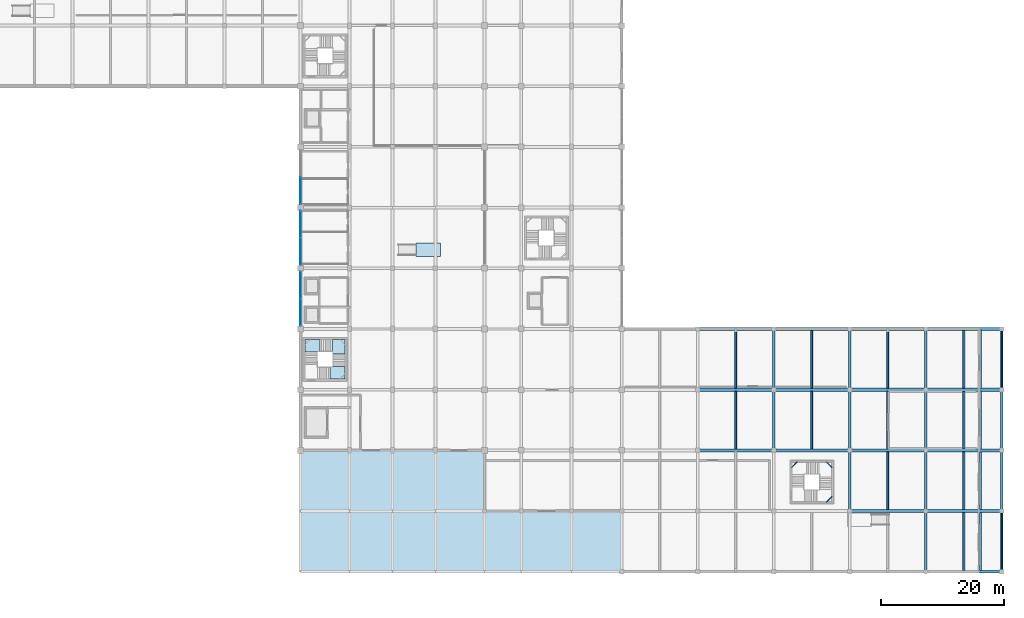
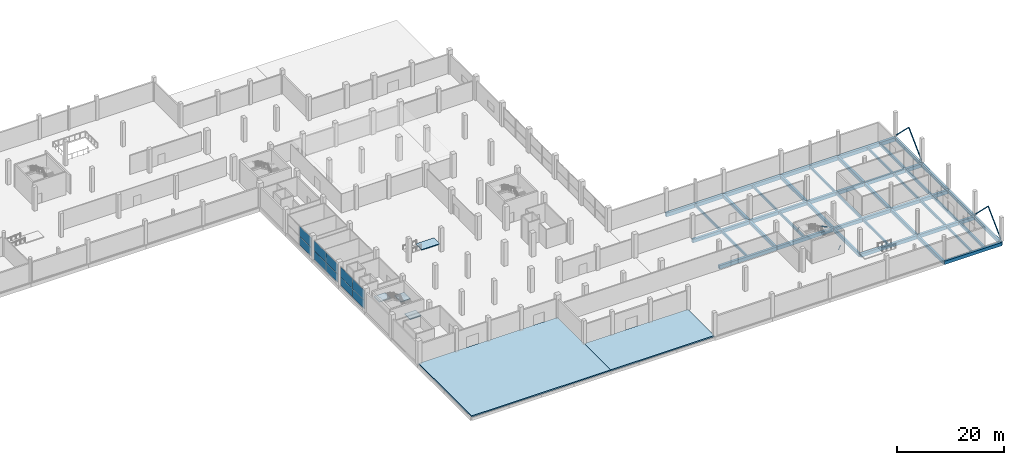
# One storey, part 18 of 50: 46 beams, 10 plates, 6 slabs, 4 members, 4 elements without a shape of their own.
"""IFC4 building model written with IfcOpenShell, lengths in metres."""

import ifcopenshell
import ifcopenshell.guid

model = None  # the IFC model being written
_history = None  # IfcOwnerHistory: only IFC2X3 demands one
_inside = {}  # id of a spatial element -> (the spatial element, [elements in it])
_under = {}  # id of a project, library or spatial element -> (it, [spatial elements below it])
_declared = {}  # id of a project -> (the project, [libraries it declares])
_typed = {}  # id of a type object -> (the type object, [elements of that type])
_made_of = {}  # id of a material, layer set ... -> (it, [elements and type objects made of it])


def new_model(schema):
    """Start an empty IFC model of exactly this schema.

    Asked for "IFC4X3", IfcOpenShell would pick the latest addendum, in which some entities
    have other attributes; the version numbers below select the first issue.
    IFC2X3 requires an IfcOwnerHistory on every rooted entity: one is made here for all.
    """
    global model, _history
    if schema == "IFC4X3":
        model = ifcopenshell.file(schema_version=(4, 3, 0, 0))
    else:
        model = ifcopenshell.file(schema=schema)
    _inside.clear()
    _under.clear()
    _declared.clear()
    _typed.clear()
    _made_of.clear()
    _history = None
    if model.schema == "IFC2X3":
        org = make("IfcOrganization", Name="unknown")
        user = make(
            "IfcPersonAndOrganization",
            ThePerson=make("IfcPerson", FamilyName="unknown"),
            TheOrganization=org,
        )
        app = make(
            "IfcApplication",
            ApplicationDeveloper=org,
            Version="unknown",
            ApplicationFullName="unknown",
            ApplicationIdentifier="unknown",
        )
        _history = make(
            "IfcOwnerHistory",
            OwningUser=user,
            OwningApplication=app,
            ChangeAction="ADDED",
            CreationDate=0,
        )
    return model


def make(cls, **values):
    """One entity of the class cls with the attributes given. An attribute that is None is left unset."""
    return model.create_entity(
        cls, **{name: value for name, value in values.items() if value is not None}
    )


def rooted(cls, **values):
    """An entity with a GlobalId (a new one), such as an element, a storey or a relation."""
    return make(cls, GlobalId=ifcopenshell.guid.new(), OwnerHistory=_history, **values)


def si_unit(unit_type, name, prefix=None):
    """IfcSIUnit, for example si_unit("LENGTHUNIT", "METRE", prefix="MILLI")."""
    return make("IfcSIUnit", UnitType=unit_type, Prefix=prefix, Name=name)


def assignment(units):
    """IfcUnitAssignment: the units of a project."""
    return None if units is None else make("IfcUnitAssignment", Units=units)


def point(xyz):
    """IfcCartesianPoint."""
    return None if xyz is None else make("IfcCartesianPoint", Coordinates=xyz)


def direction(xyz):
    """IfcDirection."""
    return None if xyz is None else make("IfcDirection", DirectionRatios=xyz)


def frame(location, z_axis=None, x_axis=None):
    """IfcAxis2Placement3D, a coordinate frame: its origin and axes. An axis left out is left unset."""
    return make(
        "IfcAxis2Placement3D",
        Location=point(location),
        Axis=direction(z_axis),
        RefDirection=direction(x_axis),
    )


def frame_2d(location, x_axis=None):
    """IfcAxis2Placement2D, a coordinate frame in the plane: its origin and x axis."""
    return make(
        "IfcAxis2Placement2D", Location=point(location), RefDirection=direction(x_axis)
    )


def origin():
    """The frame at (0, 0, 0) with its axes left unset."""
    return frame((0.0, 0.0, 0.0))


def origin_2d():
    """The frame at (0, 0) in the plane with its x axis left unset."""
    return frame_2d((0.0, 0.0))


def place(relative_to, where):
    """IfcLocalPlacement: puts the frame where relative to a parent placement (None: the world)."""
    return make(
        "IfcLocalPlacement", PlacementRelTo=relative_to, RelativePlacement=where
    )


def context(
    kind, dimensions, precision=None, world=None, true_north=None, identifier=None
):
    """IfcGeometricRepresentationContext, for example the 3D "Model" context."""
    return make(
        "IfcGeometricRepresentationContext",
        ContextIdentifier=identifier,
        ContextType=kind,
        CoordinateSpaceDimension=dimensions,
        Precision=precision,
        WorldCoordinateSystem=world,
        TrueNorth=true_north,
    )


def subcontext(parent, identifier, kind, view, scale=None):
    """IfcGeometricRepresentationSubContext, for example "Body" below "Model"."""
    return make(
        "IfcGeometricRepresentationSubContext",
        ContextIdentifier=identifier,
        ContextType=kind,
        ParentContext=parent,
        TargetScale=scale,
        TargetView=view,
    )


def project(units=None, contexts=None):
    """IfcProject with its units and contexts."""
    return rooted(
        "IfcProject",
        Name="project",
        RepresentationContexts=contexts,
        UnitsInContext=assignment(units),
    )


def spatial(cls, under=None, at=None, **own):
    """A site, building, storey or space (cls), placed at a placement, below another one or the project."""
    s = rooted(cls, ObjectPlacement=at, **own)
    if under is not None:
        _under.setdefault(under.id(), (under, []))[1].append(s)
    return s


def polyline(points):
    """IfcPolyline through the points."""
    return make("IfcPolyline", Points=[point(p) for p in points])


def profile(cls, at=None, kind="AREA", **sizes):
    """A parametric profile (cls). Its sizes go by their IFC names, for example OverallWidth=200.0."""
    return make(cls, ProfileType=kind, Position=at, **sizes)


def rectangle(**sizes):
    """IfcRectangleProfileDef."""
    return profile("IfcRectangleProfileDef", **sizes)


def hollow_rectangle(**sizes):
    """IfcRectangleHollowProfileDef."""
    return profile("IfcRectangleHollowProfileDef", **sizes)


def outline(outer, holes=None, kind="AREA"):
    """IfcArbitraryClosedProfileDef: a profile drawn as a closed curve; with holes, ...WithVoids."""
    if holes is None:
        return make("IfcArbitraryClosedProfileDef", ProfileType=kind, OuterCurve=outer)
    return make(
        "IfcArbitraryProfileDefWithVoids",
        ProfileType=kind,
        OuterCurve=outer,
        InnerCurves=holes,
    )


def extrude(swept, where, along, depth):
    """IfcExtrudedAreaSolid: the profile swept, set in the frame where, extruded along a direction by depth."""
    return make(
        "IfcExtrudedAreaSolid",
        SweptArea=swept,
        Position=where,
        ExtrudedDirection=direction(along),
        Depth=depth,
    )


def shape(context_of_items, identifier, shape_type, items):
    """IfcShapeRepresentation: the items that make up one representation, for example the "Body"."""
    return make(
        "IfcShapeRepresentation",
        ContextOfItems=context_of_items,
        RepresentationIdentifier=identifier,
        RepresentationType=shape_type,
        Items=items,
    )


def material(Name=None, Category=None):
    """IfcMaterial."""
    return make("IfcMaterial", Name=Name, Category=Category)


def layer(
    of_material, thickness, ventilated=None, Name=None, Category=None, Priority=None
):
    """IfcMaterialLayer: one layer of a wall or slab, of a material (None: an air gap)."""
    return make(
        "IfcMaterialLayer",
        Material=of_material,
        LayerThickness=thickness,
        IsVentilated=ventilated,
        Name=Name,
        Category=Category,
        Priority=Priority,
    )


def layer_set(layers, Name=None):
    """IfcMaterialLayerSet."""
    return make("IfcMaterialLayerSet", MaterialLayers=layers, LayerSetName=Name)


def material_profile(
    of_material, cross_section, Name=None, Category=None, Priority=None
):
    """IfcMaterialProfile: a cross section and its material."""
    return make(
        "IfcMaterialProfile",
        Name=Name,
        Material=of_material,
        Profile=cross_section,
        Priority=Priority,
        Category=Category,
    )


def profile_set(profiles, Name=None, composite=None):
    """IfcMaterialProfileSet."""
    return make(
        "IfcMaterialProfileSet",
        Name=Name,
        MaterialProfiles=profiles,
        CompositeProfile=composite,
    )


def made_of(thing, what):
    """Note that an element or type object is made of a material, layer set ...; save() writes the relation."""
    if what is not None:
        _made_of.setdefault(what.id(), (what, []))[1].append(thing)
    return thing


def type_object(cls, material=None, **own):
    """A type object (cls), such as IfcWallType, which elements share."""
    return made_of(rooted(cls, **own), material)


def element(
    cls,
    number,
    at=None,
    inside=None,
    cuts=None,
    type_object=None,
    material=None,
    context=None,
    identifier="Body",
    shape_type=None,
    held_by="IfcProductDefinitionShape",
    body=None,
    shapes=None,
    **own,
):
    """One element of the class cls, such as IfcWall. Its Tag is "e" and its number.

    at: its placement. inside: the storey or other place that contains it. cuts: it is an
    opening in that element (IfcRelVoidsElement). A single representation is given by context,
    identifier, shape_type and body (its items); several are given by shapes. held_by: the class
    of the entity that holds the representations. save() writes the other relations.
    """
    e = rooted(cls, Tag="e%d" % number, ObjectPlacement=at, **own)
    if body is not None:
        shapes = [shape(context, identifier, shape_type, body)]
    if shapes is not None:
        e.Representation = make(held_by, Representations=shapes)
    if inside is not None:
        _inside.setdefault(inside.id(), (inside, []))[1].append(e)
    if cuts is not None:
        rooted(
            "IfcRelVoidsElement", RelatingBuildingElement=cuts, RelatedOpeningElement=e
        )
    if type_object is not None:
        _typed.setdefault(type_object.id(), (type_object, []))[1].append(e)
    return made_of(e, material)


def aggregate(whole, parts):
    """IfcRelAggregates: a whole, such as a stair, and the parts it consists of."""
    return rooted("IfcRelAggregates", RelatingObject=whole, RelatedObjects=parts)


def save(model, path):
    """Write the relations noted so far, then the file.

    IfcRelAggregates (storeys below a building ...), IfcRelContainedInSpatialStructure (elements
    in a storey), IfcRelDefinesByType, IfcRelAssociatesMaterial and IfcRelDeclares: one each for
    every whole, place, type object, material and project.
    """
    for whole, parts in _under.values():
        aggregate(whole, parts)
    for where, things in _inside.values():
        rooted(
            "IfcRelContainedInSpatialStructure",
            RelatedElements=things,
            RelatingStructure=where,
        )
    for kind, things in _typed.values():
        rooted("IfcRelDefinesByType", RelatedObjects=things, RelatingType=kind)
    for what, things in _made_of.values():
        rooted("IfcRelAssociatesMaterial", RelatedObjects=things, RelatingMaterial=what)
    for by, libraries in _declared.values():
        rooted("IfcRelDeclares", RelatingContext=by, RelatedDefinitions=libraries)
    model.write(path)


model = new_model("IFC4")

# Units and contexts
model_context = context("Model", 3, precision=1e-05, world=origin(), true_north=direction((0.0, 1.0)))
body_context = subcontext(model_context, "Body", "Model", "MODEL_VIEW")
ifc_project = project(units=[si_unit("LENGTHUNIT", "METRE"), si_unit("AREAUNIT", "SQUARE_METRE"), si_unit("VOLUMEUNIT", "CUBIC_METRE"), si_unit("PLANEANGLEUNIT", "RADIAN"), si_unit("MASSUNIT", "GRAM", prefix="KILO")], contexts=[model_context])

# Site, building, storey
site_placement = place(None, origin())
site = spatial("IfcSite", under=ifc_project, at=site_placement, CompositionType="ELEMENT")
building_placement = place(site_placement, origin())
building = spatial("IfcBuilding", under=site, at=building_placement, Name="Sillaruma Civic Art Gallery", CompositionType="ELEMENT")
storey_placement = place(building_placement, origin())
storey = spatial("IfcBuildingStorey", under=building, at=storey_placement, Name="L00", CompositionType="ELEMENT", Elevation=0.0)

# Beams
ifc_material_1 = material(Name="Concrete H35 (35 MPa)", Category="concrete")
ifc_material_profile_1 = material_profile(ifc_material_1, rectangle(XDim=0.35009765625, YDim=0.60009765625, at=origin_2d()), Name="RCB350x600")
ifc_profile_set_1 = profile_set([ifc_material_profile_1], Name="Concrete H35 (35 MPa)")
beam_type_1 = type_object("IfcBeamType", Name="BM-BEAM-RCB350x600", PredefinedType="BEAM", material=ifc_profile_set_1)
beam_1_placement = place(storey_placement, frame((172.89990234375, 0.199951171875, -0.60009765625), z_axis=(0.0, 1.0, 0.0), x_axis=(-1.0, 0.0, 0.0)))
element("IfcBeam", 1, at=beam_1_placement, inside=storey, type_object=beam_type_1, Name="East Forecourt Edge Beam (1)", PredefinedType="BEAM", context=body_context, shape_type="SweptSolid", body=[
    extrude(rectangle(XDim=0.35009765625, YDim=0.60009765625, at=origin_2d()), origin(), (0.0, 0.0, 1.0), 9.47509765625),
])
beam_2_placement = place(storey_placement, frame((172.89990234375, 10.125, -0.60009765625), z_axis=(0.0, 1.0, 0.0), x_axis=(-1.0, 0.0, 0.0)))
element("IfcBeam", 2, at=beam_2_placement, inside=storey, type_object=beam_type_1, Name="East Forecourt Edge Beam (2)", PredefinedType="BEAM", context=body_context, shape_type="SweptSolid", body=[
    extrude(rectangle(XDim=0.35009765625, YDim=0.60009765625, at=origin_2d()), origin(), (0.0, 0.0, 1.0), 9.449951171875),
])
beam_3_placement = place(storey_placement, frame((172.89990234375, 20.02490234375, -0.60009765625), z_axis=(0.0, 1.0, 0.0), x_axis=(-1.0, 0.0, 0.0)))
element("IfcBeam", 3, at=beam_3_placement, inside=storey, type_object=beam_type_1, Name="East Forecourt Edge Beam (3)", PredefinedType="BEAM", context=body_context, shape_type="SweptSolid", body=[
    extrude(rectangle(XDim=0.35009765625, YDim=0.60009765625, at=origin_2d()), origin(), (0.0, 0.0, 1.0), 9.4501953125),
])
beam_4_placement = place(storey_placement, frame((172.89990234375, 29.925048828125, -0.60009765625), z_axis=(0.0, 1.0, 0.0), x_axis=(-1.0, 0.0, 0.0)))
element("IfcBeam", 4, at=beam_4_placement, inside=storey, type_object=beam_type_1, Name="East Forecourt Edge Beam (4)", PredefinedType="BEAM", context=body_context, shape_type="SweptSolid", body=[
    extrude(rectangle(XDim=0.35009765625, YDim=0.60009765625, at=origin_2d()), origin(), (0.0, 0.0, 1.0), 9.474853515625),
])
ifc_material_2 = material(Name="Concrete H40 (40 MPa)", Category="concrete")
ifc_material_profile_2 = material_profile(ifc_material_2, rectangle(XDim=0.449951171875, YDim=0.75, at=origin_2d()), Name="RCB450x750")
ifc_profile_set_2 = profile_set([ifc_material_profile_2], Name="Concrete H40 (40 MPa)")
beam_type_2 = type_object("IfcBeamType", Name="BM-BEAM-RCB450x750", PredefinedType="BEAM", material=ifc_profile_set_2)
beam_5_placement = place(storey_placement, frame((139.199951171875, 19.800048828125, -0.675048828125), z_axis=(0.0, 1.0, 0.0), x_axis=(-1.0, 0.0, 0.0)))
element("IfcBeam", 5, at=beam_5_placement, inside=storey, type_object=beam_type_2, Name="Beam BM-03 (B01:Q:3-4)", PredefinedType="BEAM", context=body_context, shape_type="SweptSolid", body=[
    extrude(rectangle(XDim=0.449951171875, YDim=0.75, at=origin_2d()), origin(), (0.0, 0.0, 1.0), 9.89990234375),
])
for number, where, z_axis, x_axis, name in (
    (6, (139.199951171875, 29.699951171875, -0.675048828125), (0.0, 1.0, 0.0), (-1.0, 0.0, 0.0), "Beam BM-03 (B01:Q:4-5)"),
    (7, (151.60009765625, 9.89990234375, -0.675048828125), (0.0, 1.0, 0.0), (-1.0, 0.0, 0.0), "Beam BM-03 (B01:R:2-3)"),
):
    element("IfcBeam", number, at=place(storey_placement, frame(where, z_axis=z_axis, x_axis=x_axis)), inside=storey, type_object=beam_type_2, Name=name, PredefinedType="BEAM", context=body_context, shape_type="SweptSolid", body=[
        extrude(rectangle(XDim=0.449951171875, YDim=0.75, at=origin_2d()), origin(), (0.0, 0.0, 1.0), 9.900146484375),
    ])
beam_6_placement = place(storey_placement, frame((151.60009765625, 19.800048828125, -0.675048828125), z_axis=(0.0, 1.0, 0.0), x_axis=(-1.0, 0.0, 0.0)))
element("IfcBeam", 8, at=beam_6_placement, inside=storey, type_object=beam_type_2, Name="Beam BM-03 (B01:R:3-4)", PredefinedType="BEAM", context=body_context, shape_type="SweptSolid", body=[
    extrude(rectangle(XDim=0.449951171875, YDim=0.75, at=origin_2d()), origin(), (0.0, 0.0, 1.0), 9.89990234375),
])
beam_7_placement = place(storey_placement, frame((151.60009765625, 29.699951171875, -0.675048828125), z_axis=(0.0, 1.0, 0.0), x_axis=(-1.0, 0.0, 0.0)))
element("IfcBeam", 9, at=beam_7_placement, inside=storey, type_object=beam_type_2, Name="Beam BM-03 (B01:R:4-5)", PredefinedType="BEAM", context=body_context, shape_type="SweptSolid", body=[
    extrude(rectangle(XDim=0.449951171875, YDim=0.75, at=origin_2d()), origin(), (0.0, 0.0, 1.0), 9.900146484375),
])
beam_8_placement = place(storey_placement, frame((164.0, 0.0, -0.675048828125), z_axis=(0.0, 1.0, 0.0), x_axis=(-1.0, 0.0, 0.0)))
element("IfcBeam", 10, at=beam_8_placement, inside=storey, type_object=beam_type_2, Name="Beam BM-03 (B01:S:1-2)", PredefinedType="BEAM", context=body_context, shape_type="SweptSolid", body=[
    extrude(rectangle(XDim=0.449951171875, YDim=0.75, at=origin_2d()), origin(), (0.0, 0.0, 1.0), 9.89990234375),
])
beam_9_placement = place(storey_placement, frame((164.0, 9.89990234375, -0.675048828125), z_axis=(0.0, 1.0, 0.0), x_axis=(-1.0, 0.0, 0.0)))
element("IfcBeam", 11, at=beam_9_placement, inside=storey, type_object=beam_type_2, Name="Beam BM-03 (B01:S:2-3)", PredefinedType="BEAM", context=body_context, shape_type="SweptSolid", body=[
    extrude(rectangle(XDim=0.449951171875, YDim=0.75, at=origin_2d()), origin(), (0.0, 0.0, 1.0), 9.900146484375),
])
beam_10_placement = place(storey_placement, frame((164.0, 19.800048828125, -0.675048828125), z_axis=(0.0, 1.0, 0.0), x_axis=(-1.0, 0.0, 0.0)))
element("IfcBeam", 12, at=beam_10_placement, inside=storey, type_object=beam_type_2, Name="Beam BM-03 (B01:S:3-4)", PredefinedType="BEAM", context=body_context, shape_type="SweptSolid", body=[
    extrude(rectangle(XDim=0.449951171875, YDim=0.75, at=origin_2d()), origin(), (0.0, 0.0, 1.0), 9.89990234375),
])
beam_11_placement = place(storey_placement, frame((164.0, 29.699951171875, -0.675048828125), z_axis=(0.0, 1.0, 0.0), x_axis=(-1.0, 0.0, 0.0)))
element("IfcBeam", 13, at=beam_11_placement, inside=storey, type_object=beam_type_2, Name="Beam BM-03 (B01:S:4-5)", PredefinedType="BEAM", context=body_context, shape_type="SweptSolid", body=[
    extrude(rectangle(XDim=0.449951171875, YDim=0.75, at=origin_2d()), origin(), (0.0, 0.0, 1.0), 9.900146484375),
])
beam_12_placement = place(storey_placement, frame((176.39990234375, 0.0, -0.675048828125), z_axis=(0.0, 1.0, 0.0), x_axis=(-1.0, 0.0, 0.0)))
element("IfcBeam", 14, at=beam_12_placement, inside=storey, type_object=beam_type_2, Name="Beam BM-03 (B01:T:1-2)", PredefinedType="BEAM", context=body_context, shape_type="SweptSolid", body=[
    extrude(rectangle(XDim=0.449951171875, YDim=0.75, at=origin_2d()), origin(), (0.0, 0.0, 1.0), 9.89990234375),
])
beam_13_placement = place(storey_placement, frame((176.39990234375, 9.89990234375, -0.675048828125), z_axis=(0.0, 1.0, 0.0), x_axis=(-1.0, 0.0, 0.0)))
element("IfcBeam", 15, at=beam_13_placement, inside=storey, type_object=beam_type_2, Name="Beam BM-03 (B01:T:2-3)", PredefinedType="BEAM", context=body_context, shape_type="SweptSolid", body=[
    extrude(rectangle(XDim=0.449951171875, YDim=0.75, at=origin_2d()), origin(), (0.0, 0.0, 1.0), 9.900146484375),
])
beam_14_placement = place(storey_placement, frame((176.39990234375, 19.800048828125, -0.675048828125), z_axis=(0.0, 1.0, 0.0), x_axis=(-1.0, 0.0, 0.0)))
element("IfcBeam", 16, at=beam_14_placement, inside=storey, type_object=beam_type_2, Name="Beam BM-03 (B01:T:3-4)", PredefinedType="BEAM", context=body_context, shape_type="SweptSolid", body=[
    extrude(rectangle(XDim=0.449951171875, YDim=0.75, at=origin_2d()), origin(), (0.0, 0.0, 1.0), 9.89990234375),
])
beam_15_placement = place(storey_placement, frame((176.39990234375, 29.699951171875, -0.675048828125), z_axis=(0.0, 1.0, 0.0), x_axis=(-1.0, 0.0, 0.0)))
element("IfcBeam", 17, at=beam_15_placement, inside=storey, type_object=beam_type_2, Name="Beam BM-03 (B01:T:4-5)", PredefinedType="BEAM", context=body_context, shape_type="SweptSolid", body=[
    extrude(rectangle(XDim=0.449951171875, YDim=0.75, at=origin_2d()), origin(), (0.0, 0.0, 1.0), 9.900146484375),
])
ifc_material_profile_3 = material_profile(ifc_material_2, rectangle(XDim=0.550048828125, YDim=0.85009765625, at=origin_2d()), Name="RCB550x850")
ifc_profile_set_3 = profile_set([ifc_material_profile_3], Name="Concrete H40 (40 MPa)")
beam_type_3 = type_object("IfcBeamType", Name="BM-BEAM-RCB550x850", PredefinedType="BEAM", material=ifc_profile_set_3)
beam_16_placement = place(storey_placement, frame((126.800048828125, 39.60009765625, -0.72509765625), z_axis=(1.0, 0.0, 0.0), x_axis=(0.0, 1.0, 0.0)))
element("IfcBeam", 18, at=beam_16_placement, inside=storey, type_object=beam_type_3, Name="Beam BM-01 (B01:5:P-Q)", PredefinedType="BEAM", context=body_context, shape_type="SweptSolid", body=[
    extrude(rectangle(XDim=0.550048828125, YDim=0.85009765625, at=origin_2d()), origin(), (0.0, 0.0, 1.0), 12.39990234375),
])
beam_17_placement = place(storey_placement, frame((139.199951171875, 39.60009765625, -0.72509765625), z_axis=(1.0, 0.0, 0.0), x_axis=(0.0, 1.0, 0.0)))
element("IfcBeam", 19, at=beam_17_placement, inside=storey, type_object=beam_type_3, Name="Beam BM-01 (B01:5:Q-R)", PredefinedType="BEAM", context=body_context, shape_type="SweptSolid", body=[
    extrude(rectangle(XDim=0.550048828125, YDim=0.85009765625, at=origin_2d()), origin(), (0.0, 0.0, 1.0), 12.400146484375),
])
for number, where, z_axis, x_axis, name in (
    (20, (151.60009765625, 39.60009765625, -0.72509765625), (1.0, 0.0, 0.0), (0.0, 1.0, 0.0), "Beam BM-01 (B01:5:R-S)"),
    (21, (164.0, 39.60009765625, -0.72509765625), (1.0, 0.0, 0.0), (0.0, 1.0, 0.0), "Beam BM-01 (B01:5:S-T)"),
):
    element("IfcBeam", number, at=place(storey_placement, frame(where, z_axis=z_axis, x_axis=x_axis)), inside=storey, type_object=beam_type_3, Name=name, PredefinedType="BEAM", context=body_context, shape_type="SweptSolid", body=[
        extrude(rectangle(XDim=0.550048828125, YDim=0.85009765625, at=origin_2d()), origin(), (0.0, 0.0, 1.0), 12.39990234375),
    ])
ifc_material_profile_4 = material_profile(ifc_material_1, rectangle(XDim=0.300048828125, YDim=0.52001953125, at=origin_2d()), Name="RCB300x520")
ifc_profile_set_4 = profile_set([ifc_material_profile_4], Name="Concrete H35 (35 MPa)")
beam_type_4 = type_object("IfcBeamType", Name="BM-JOIST-RCB300x520", PredefinedType="JOIST", material=ifc_profile_set_4)
beam_18_placement = place(storey_placement, frame((170.199951171875, 0.22509765625, -0.56005859375), z_axis=(0.0, 1.0, 0.0), x_axis=(-1.0, 0.0, 0.0)))
element("IfcBeam", 22, at=beam_18_placement, inside=storey, type_object=beam_type_4, Name="Floor Joist JR-01 (B01:ST:1-2)", PredefinedType="JOIST", context=body_context, shape_type="SweptSolid", body=[
    extrude(rectangle(XDim=0.300048828125, YDim=0.52001953125, at=origin_2d()), origin(), (0.0, 0.0, 1.0), 9.414794921875),
])
for number, where, z_axis, x_axis, name in (
    (23, (157.800048828125, 10.159912109375, -0.56005859375), (0.0, 1.0, 0.0), (-1.0, 0.0, 0.0), "Floor Joist JR-01 (B01:RS:2-3)"),
    (24, (170.199951171875, 10.159912109375, -0.56005859375), (0.0, 1.0, 0.0), (-1.0, 0.0, 0.0), "Floor Joist JR-01 (B01:ST:2-3)"),
):
    element("IfcBeam", number, at=place(storey_placement, frame(where, z_axis=z_axis, x_axis=x_axis)), inside=storey, type_object=beam_type_4, Name=name, PredefinedType="JOIST", context=body_context, shape_type="SweptSolid", body=[
        extrude(rectangle(XDim=0.300048828125, YDim=0.52001953125, at=origin_2d()), origin(), (0.0, 0.0, 1.0), 9.380126953125),
    ])
for number, where, z_axis, x_axis, name in (
    (25, (133.0, 20.06005859375, -0.56005859375), (0.0, 1.0, 0.0), (-1.0, 0.0, 0.0), "Floor Joist JR-01 (B01:PQ:3-4)"),
    (26, (145.39990234375, 20.06005859375, -0.56005859375), (0.0, 1.0, 0.0), (-1.0, 0.0, 0.0), "Floor Joist JR-01 (B01:QR:3-4)"),
    (27, (157.800048828125, 20.06005859375, -0.56005859375), (0.0, 1.0, 0.0), (-1.0, 0.0, 0.0), "Floor Joist JR-01 (B01:RS:3-4)"),
    (28, (170.199951171875, 20.06005859375, -0.56005859375), (0.0, 1.0, 0.0), (-1.0, 0.0, 0.0), "Floor Joist JR-01 (B01:ST:3-4)"),
):
    element("IfcBeam", number, at=place(storey_placement, frame(where, z_axis=z_axis, x_axis=x_axis)), inside=storey, type_object=beam_type_4, Name=name, PredefinedType="JOIST", context=body_context, shape_type="SweptSolid", body=[
        extrude(rectangle(XDim=0.300048828125, YDim=0.52001953125, at=origin_2d()), origin(), (0.0, 0.0, 1.0), 9.3798828125),
    ])
for number, where, z_axis, x_axis, name in (
    (29, (133.0, 29.9599609375, -0.56005859375), (0.0, 1.0, 0.0), (-1.0, 0.0, 0.0), "Floor Joist JR-01 (B01:PQ:4-5)"),
    (30, (145.39990234375, 29.9599609375, -0.56005859375), (0.0, 1.0, 0.0), (-1.0, 0.0, 0.0), "Floor Joist JR-01 (B01:QR:4-5)"),
    (31, (157.800048828125, 29.9599609375, -0.56005859375), (0.0, 1.0, 0.0), (-1.0, 0.0, 0.0), "Floor Joist JR-01 (B01:RS:4-5)"),
    (32, (170.199951171875, 29.9599609375, -0.56005859375), (0.0, 1.0, 0.0), (-1.0, 0.0, 0.0), "Floor Joist JR-01 (B01:ST:4-5)"),
):
    element("IfcBeam", number, at=place(storey_placement, frame(where, z_axis=z_axis, x_axis=x_axis)), inside=storey, type_object=beam_type_4, Name=name, PredefinedType="JOIST", context=body_context, shape_type="SweptSolid", body=[
        extrude(rectangle(XDim=0.300048828125, YDim=0.52001953125, at=origin_2d()), origin(), (0.0, 0.0, 1.0), 9.364990234375),
    ])
ifc_material_3 = material(Name="Structural Steel ASTM A500 Gr.C", Category="steel")
ifc_material_profile_5 = material_profile(ifc_material_3, hollow_rectangle(XDim=0.080078125, YDim=0.159912109375, WallThickness=0.008056640625, InnerFilletRadius=0.008056640625, OuterFilletRadius=0.01611328125, at=origin_2d()), Name="HSS160x80x8")
ifc_profile_set_5 = profile_set([ifc_material_profile_5], Name="Structural Steel ASTM A500 Gr.C")
beam_type_5 = type_object("IfcBeamType", Name="BM-LND-HSS160", PredefinedType="BEAM", material=ifc_profile_set_5)
for number, where, z_axis, x_axis, name in (
    (33, (147.7900390625, 11.360107421875, 1.080078125), (0.707106781187, 0.707106781187, 0.0), (-0.707106781187, 0.707106781187, 0.0), "Stair Corner Landing Trimmer Beam (ST-05-L00-1)"),
    (34, (147.7900390625, 17.919921875, 2.43994140625), (0.707106781187, -0.707106781187, 0.0), (0.707106781187, 0.707106781187, 0.0), "Stair Corner Landing Trimmer Beam (ST-05-L00-2)"),
    (35, (142.1201171875, 17.030029296875, 3.800048828125), (0.707106781187, 0.707106781187, 0.0), (-0.707106781187, 0.707106781187, 0.0), "Stair Corner Landing Trimmer Beam (ST-05-L00-3)"),
):
    element("IfcBeam", number, at=place(storey_placement, frame(where, z_axis=z_axis, x_axis=x_axis)), inside=storey, type_object=beam_type_5, Name=name, PredefinedType="BEAM", context=body_context, shape_type="SweptSolid", body=[
        extrude(hollow_rectangle(XDim=0.080078125, YDim=0.159912109375, WallThickness=0.008056640625, InnerFilletRadius=0.008056640625, OuterFilletRadius=0.01611328125, at=origin_2d()), origin(), (0.0, 0.0, 1.0), 1.258544921875),
    ])
ifc_material_profile_6 = material_profile(ifc_material_2, rectangle(XDim=0.449951171875, YDim=0.75, at=origin_2d()), Name="RCB450x750")
ifc_profile_set_6 = profile_set([ifc_material_profile_6], Name="Concrete H40 (40 MPa)")
beam_type_6 = type_object("IfcBeamType", Name="BM-SPANDREL-RCB450x750", PredefinedType="SPANDREL", material=ifc_profile_set_6)
beam_19_placement = place(storey_placement, frame((164.0, 0.0, -0.675048828125), z_axis=(1.0, 0.0, 0.0), x_axis=(0.0, 1.0, 0.0)))
element("IfcBeam", 36, at=beam_19_placement, inside=storey, type_object=beam_type_6, Name="Beam BS-01 (B01:1:S-T)", PredefinedType="SPANDREL", context=body_context, shape_type="SweptSolid", body=[
    extrude(rectangle(XDim=0.449951171875, YDim=0.75, at=origin_2d()), origin(), (0.0, 0.0, 1.0), 12.39990234375),
])
ifc_material_profile_7 = material_profile(ifc_material_2, rectangle(XDim=0.52001953125, YDim=0.780029296875, at=origin_2d()), Name="RCT520x780")
ifc_profile_set_7 = profile_set([ifc_material_profile_7], Name="Concrete H40 (40 MPa)")
beam_type_7 = type_object("IfcBeamType", Name="BM-T_BEAM-RCT520x780", PredefinedType="T_BEAM", material=ifc_profile_set_7)
for number, where, z_axis, x_axis, name in (
    (37, (151.60009765625, 9.89990234375, -0.68994140625), (1.0, 0.0, 0.0), (0.0, 1.0, 0.0), "Beam BT-01 (B01:2:R-S)"),
    (38, (164.0, 9.89990234375, -0.68994140625), (1.0, 0.0, 0.0), (0.0, 1.0, 0.0), "Beam BT-01 (B01:2:S-T)"),
    (39, (126.800048828125, 19.800048828125, -0.68994140625), (1.0, 0.0, 0.0), (0.0, 1.0, 0.0), "Beam BT-01 (B01:3:P-Q)"),
):
    element("IfcBeam", number, at=place(storey_placement, frame(where, z_axis=z_axis, x_axis=x_axis)), inside=storey, type_object=beam_type_7, Name=name, PredefinedType="T_BEAM", context=body_context, shape_type="SweptSolid", body=[
        extrude(rectangle(XDim=0.52001953125, YDim=0.780029296875, at=origin_2d()), origin(), (0.0, 0.0, 1.0), 12.39990234375),
    ])
beam_20_placement = place(storey_placement, frame((139.199951171875, 19.800048828125, -0.68994140625), z_axis=(1.0, 0.0, 0.0), x_axis=(0.0, 1.0, 0.0)))
element("IfcBeam", 40, at=beam_20_placement, inside=storey, type_object=beam_type_7, Name="Beam BT-01 (B01:3:Q-R)", PredefinedType="T_BEAM", context=body_context, shape_type="SweptSolid", body=[
    extrude(rectangle(XDim=0.52001953125, YDim=0.780029296875, at=origin_2d()), origin(), (0.0, 0.0, 1.0), 12.400146484375),
])
for number, where, z_axis, x_axis, name in (
    (41, (151.60009765625, 19.800048828125, -0.68994140625), (1.0, 0.0, 0.0), (0.0, 1.0, 0.0), "Beam BT-01 (B01:3:R-S)"),
    (42, (164.0, 19.800048828125, -0.68994140625), (1.0, 0.0, 0.0), (0.0, 1.0, 0.0), "Beam BT-01 (B01:3:S-T)"),
    (43, (126.800048828125, 29.699951171875, -0.68994140625), (1.0, 0.0, 0.0), (0.0, 1.0, 0.0), "Beam BT-01 (B01:4:P-Q)"),
):
    element("IfcBeam", number, at=place(storey_placement, frame(where, z_axis=z_axis, x_axis=x_axis)), inside=storey, type_object=beam_type_7, Name=name, PredefinedType="T_BEAM", context=body_context, shape_type="SweptSolid", body=[
        extrude(rectangle(XDim=0.52001953125, YDim=0.780029296875, at=origin_2d()), origin(), (0.0, 0.0, 1.0), 12.39990234375),
    ])
beam_21_placement = place(storey_placement, frame((139.199951171875, 29.699951171875, -0.68994140625), z_axis=(1.0, 0.0, 0.0), x_axis=(0.0, 1.0, 0.0)))
element("IfcBeam", 44, at=beam_21_placement, inside=storey, type_object=beam_type_7, Name="Beam BT-01 (B01:4:Q-R)", PredefinedType="T_BEAM", context=body_context, shape_type="SweptSolid", body=[
    extrude(rectangle(XDim=0.52001953125, YDim=0.780029296875, at=origin_2d()), origin(), (0.0, 0.0, 1.0), 12.400146484375),
])
for number, where, z_axis, x_axis, name in (
    (45, (151.60009765625, 29.699951171875, -0.68994140625), (1.0, 0.0, 0.0), (0.0, 1.0, 0.0), "Beam BT-01 (B01:4:R-S)"),
    (46, (164.0, 29.699951171875, -0.68994140625), (1.0, 0.0, 0.0), (0.0, 1.0, 0.0), "Beam BT-01 (B01:4:S-T)"),
):
    element("IfcBeam", number, at=place(storey_placement, frame(where, z_axis=z_axis, x_axis=x_axis)), inside=storey, type_object=beam_type_7, Name=name, PredefinedType="T_BEAM", context=body_context, shape_type="SweptSolid", body=[
        extrude(rectangle(XDim=0.52001953125, YDim=0.780029296875, at=origin_2d()), origin(), (0.0, 0.0, 1.0), 12.39990234375),
    ])

# Members
ifc_material_profile_8 = material_profile(ifc_material_3, hollow_rectangle(XDim=0.199951171875, YDim=0.199951171875, WallThickness=0.010009765625, InnerFilletRadius=0.010009765625, OuterFilletRadius=0.02001953125, at=origin_2d()), Name="HSS200x200x10")
ifc_profile_set_8 = profile_set([ifc_material_profile_8], Name="Structural Steel ASTM A500 Gr.C")
member_type = type_object("IfcMemberType", Name="MEM-PROW-BRACE", PredefinedType="BRACE", material=ifc_profile_set_8)
for number, where, z_axis, x_axis, name in (
    (47, (176.39990234375, 0.199951171875, 0.14990234375), (0.0, 0.713073760049, 0.701089019119), (-1.0, 0.0, 0.0), "Street Portico Colonnade V-Brace (E1A)"),
    (48, (176.39990234375, 9.699951171875, 0.14990234375), (0.0, -0.713073760049, 0.701089019119), (1.0, 0.0, 0.0), "Street Portico Colonnade V-Brace (E1B)"),
    (49, (176.39990234375, 29.89990234375, 0.14990234375), (0.0, 0.713073760049, 0.701089019119), (-1.0, 0.0, 0.0), "Street Portico Colonnade V-Brace (E2A)"),
    (50, (176.39990234375, 39.39990234375, 0.14990234375), (0.0, -0.713073760049, 0.701089019119), (1.0, 0.0, 0.0), "Street Portico Colonnade V-Brace (E2B)"),
):
    element("IfcMember", number, at=place(storey_placement, frame(where, z_axis=z_axis, x_axis=x_axis)), inside=storey, type_object=member_type, Name=name, PredefinedType="BRACE", context=body_context, shape_type="SweptSolid", body=[
        extrude(hollow_rectangle(XDim=0.199951171875, YDim=0.199951171875, WallThickness=0.010009765625, InnerFilletRadius=0.010009765625, OuterFilletRadius=0.02001953125, at=origin_2d()), origin(), (0.0, 0.0, 1.0), 6.661376953125),
    ])

# Curtain wall, plates
ifc_material_4 = material(Name="Thermally Broken Extruded Aluminium 6063-T6", Category="aluminium")
ifc_layer_1 = layer(ifc_material_4, 0.139892578125, Name="Thermally Broken Extruded Aluminium 6063-T6")
ifc_layer_set_1 = layer_set([ifc_layer_1], Name="Thermally Broken Extruded Aluminium 6063-T6")
curtain_wall_type_1 = type_object("IfcCurtainWallType", Name="CW-UNI-01", PredefinedType="NOTDEFINED", material=ifc_layer_set_1)
curtain_wall_1_placement = place(storey_placement, origin())
curtain_wall_1 = element("IfcCurtainWall", 51, at=curtain_wall_1_placement, inside=storey, type_object=curtain_wall_type_1, Name="Unitised Curtain Wall CW-01 (CW-L00-SPW-3)", PredefinedType="NOTDEFINED")
ifc_material_5 = material(Name="Low-E UV-Filtered Laminated Insulating Glass", Category="glass")
ifc_layer_2 = layer(ifc_material_5, 0.028076171875, Name="Low-E UV-Filtered Laminated Insulating Glass")
ifc_layer_set_2 = layer_set([ifc_layer_2], Name="Low-E UV-Filtered Laminated Insulating Glass")
plate_type_1 = type_object("IfcPlateType", Name="PNL-GLZ-28", PredefinedType="CURTAIN_PANEL", material=ifc_layer_set_2)
plate_1_placement = place(storey_placement, frame((62.0, 42.327392578125, 0.06005859375), z_axis=(0.0, 0.0, 1.0), x_axis=(0.0, 1.0, 0.0)))
plate_1 = element("IfcPlate", 52, at=plate_1_placement, type_object=plate_type_1, Name="CW-01 panel 1.1", PredefinedType="CURTAIN_PANEL", context=body_context, shape_type="SweptSolid", body=[
    extrude(rectangle(XDim=4.385009765625, YDim=0.028076171875, at=origin_2d()), origin(), (0.0, 0.0, 1.0), 1.93408203125),
])
plate_2_placement = place(storey_placement, frame((62.0, 42.327392578125, 2.05419921875), z_axis=(0.0, 0.0, 1.0), x_axis=(0.0, 1.0, 0.0)))
plate_2 = element("IfcPlate", 53, at=plate_2_placement, type_object=plate_type_1, Name="CW-01 panel 1.2", PredefinedType="CURTAIN_PANEL", context=body_context, shape_type="SweptSolid", body=[
    extrude(rectangle(XDim=4.385009765625, YDim=0.028076171875, at=origin_2d()), origin(), (0.0, 0.0, 1.0), 2.285888671875),
])
plate_3_placement = place(storey_placement, frame((62.0, 46.7724609375, 0.06005859375), z_axis=(0.0, 0.0, 1.0), x_axis=(0.0, 1.0, 0.0)))
plate_3 = element("IfcPlate", 54, at=plate_3_placement, type_object=plate_type_1, Name="CW-01 panel 2.1", PredefinedType="CURTAIN_PANEL", context=body_context, shape_type="SweptSolid", body=[
    extrude(rectangle(XDim=4.385009765625, YDim=0.028076171875, at=origin_2d()), origin(), (0.0, 0.0, 1.0), 1.93408203125),
])
plate_4_placement = place(storey_placement, frame((62.0, 46.7724609375, 2.05419921875), z_axis=(0.0, 0.0, 1.0), x_axis=(0.0, 1.0, 0.0)))
plate_4 = element("IfcPlate", 55, at=plate_4_placement, type_object=plate_type_1, Name="CW-01 panel 2.2", PredefinedType="CURTAIN_PANEL", context=body_context, shape_type="SweptSolid", body=[
    extrude(rectangle(XDim=4.385009765625, YDim=0.028076171875, at=origin_2d()), origin(), (0.0, 0.0, 1.0), 2.285888671875),
])
aggregate(curtain_wall_1, [plate_1, plate_2, plate_3, plate_4])

ifc_layer_3 = layer(ifc_material_4, 0.159912109375, Name="Thermally Broken Extruded Aluminium 6063-T6")
ifc_layer_set_3 = layer_set([ifc_layer_3], Name="Thermally Broken Extruded Aluminium 6063-T6")
curtain_wall_type_2 = type_object("IfcCurtainWallType", Name="CW-UNI-04", PredefinedType="NOTDEFINED", material=ifc_layer_set_3)
curtain_wall_2_placement = place(storey_placement, origin())
curtain_wall_2 = element("IfcCurtainWall", 56, at=curtain_wall_2_placement, inside=storey, type_object=curtain_wall_type_2, Name="Unitised Curtain Wall CW-04 (CW-L00-SPW-5)", PredefinedType="NOTDEFINED")
ifc_layer_4 = layer(ifc_material_5, 0.030029296875, Name="Low-E UV-Filtered Laminated Insulating Glass")
ifc_layer_set_4 = layer_set([ifc_layer_4], Name="Low-E UV-Filtered Laminated Insulating Glass")
plate_type_2 = type_object("IfcPlateType", Name="PNL-GLZ-30", PredefinedType="CURTAIN_PANEL", material=ifc_layer_set_4)
plate_5_placement = place(storey_placement, frame((62.0, 62.128662109375, 0.06005859375), z_axis=(0.0, 0.0, 1.0), x_axis=(0.0, 1.0, 0.0)))
plate_5 = element("IfcPlate", 57, at=plate_5_placement, type_object=plate_type_2, Name="CW-04 panel 1.1", PredefinedType="CURTAIN_PANEL", context=body_context, shape_type="SweptSolid", body=[
    extrude(rectangle(XDim=4.37744140625, YDim=0.030029296875, at=origin_2d()), origin(), (0.0, 0.0, 1.0), 1.93408203125),
])
plate_6_placement = place(storey_placement, frame((62.0, 62.128662109375, 2.05419921875), z_axis=(0.0, 0.0, 1.0), x_axis=(0.0, 1.0, 0.0)))
plate_6 = element("IfcPlate", 58, at=plate_6_placement, type_object=plate_type_2, Name="CW-04 panel 1.2", PredefinedType="CURTAIN_PANEL", context=body_context, shape_type="SweptSolid", body=[
    extrude(rectangle(XDim=4.37744140625, YDim=0.030029296875, at=origin_2d()), origin(), (0.0, 0.0, 1.0), 2.285888671875),
])
aggregate(curtain_wall_2, [plate_5, plate_6])

ifc_layer_5 = layer(ifc_material_4, 0.179931640625, Name="Thermally Broken Extruded Aluminium 6063-T6")
ifc_layer_set_5 = layer_set([ifc_layer_5], Name="Thermally Broken Extruded Aluminium 6063-T6")
curtain_wall_type_3 = type_object("IfcCurtainWallType", Name="CW-UNI-03", PredefinedType="NOTDEFINED", material=ifc_layer_set_5)
curtain_wall_3_placement = place(storey_placement, origin())
curtain_wall_3 = element("IfcCurtainWall", 59, at=curtain_wall_3_placement, inside=storey, type_object=curtain_wall_type_3, Name="Unitised Curtain Wall CW-03 (CW-L00-SPW-4)", PredefinedType="NOTDEFINED")
ifc_layer_6 = layer(ifc_material_5, 0.0400390625, Name="Low-E UV-Filtered Laminated Insulating Glass")
ifc_layer_set_6 = layer_set([ifc_layer_6], Name="Low-E UV-Filtered Laminated Insulating Glass")
plate_type_3 = type_object("IfcPlateType", Name="PNL-GLZ-40", PredefinedType="CURTAIN_PANEL", material=ifc_layer_set_6)
plate_7_placement = place(storey_placement, frame((62.0, 52.22998046875, 0.06494140625), z_axis=(0.0, 0.0, 1.0), x_axis=(0.0, 1.0, 0.0)))
plate_7 = element("IfcPlate", 60, at=plate_7_placement, type_object=plate_type_3, Name="CW-03 panel 1.1", PredefinedType="CURTAIN_PANEL", context=body_context, shape_type="SweptSolid", body=[
    extrude(rectangle(XDim=4.3701171875, YDim=0.0400390625, at=origin_2d()), origin(), (0.0, 0.0, 1.0), 1.926513671875),
])
plate_8_placement = place(storey_placement, frame((62.0, 52.22998046875, 2.056640625), z_axis=(0.0, 0.0, 1.0), x_axis=(0.0, 1.0, 0.0)))
plate_8 = element("IfcPlate", 61, at=plate_8_placement, type_object=plate_type_3, Name="CW-03 panel 1.2", PredefinedType="CURTAIN_PANEL", context=body_context, shape_type="SweptSolid", body=[
    extrude(rectangle(XDim=4.3701171875, YDim=0.0400390625, at=origin_2d()), origin(), (0.0, 0.0, 1.0), 2.278564453125),
])
plate_9_placement = place(storey_placement, frame((62.0, 56.669921875, 0.06494140625), z_axis=(0.0, 0.0, 1.0), x_axis=(0.0, 1.0, 0.0)))
plate_9 = element("IfcPlate", 62, at=plate_9_placement, type_object=plate_type_3, Name="CW-03 panel 2.1", PredefinedType="CURTAIN_PANEL", context=body_context, shape_type="SweptSolid", body=[
    extrude(rectangle(XDim=4.3701171875, YDim=0.0400390625, at=origin_2d()), origin(), (0.0, 0.0, 1.0), 1.926513671875),
])
plate_10_placement = place(storey_placement, frame((62.0, 56.669921875, 2.056640625), z_axis=(0.0, 0.0, 1.0), x_axis=(0.0, 1.0, 0.0)))
plate_10 = element("IfcPlate", 63, at=plate_10_placement, type_object=plate_type_3, Name="CW-03 panel 2.2", PredefinedType="CURTAIN_PANEL", context=body_context, shape_type="SweptSolid", body=[
    extrude(rectangle(XDim=4.3701171875, YDim=0.0400390625, at=origin_2d()), origin(), (0.0, 0.0, 1.0), 2.278564453125),
])
aggregate(curtain_wall_3, [plate_7, plate_8, plate_9, plate_10])

# Slabs
ifc_layer_7 = layer(ifc_material_1, 0.280029296875, Name="Concrete H35 (35 MPa)")
ifc_layer_set_7 = layer_set([ifc_layer_7], Name="Concrete H35 (35 MPa)")
slab_type_1 = type_object("IfcSlabType", Name="SLB-EXT-280", PredefinedType="FLOOR", material=ifc_layer_set_7)
slab_1_placement = place(storey_placement, frame((0.0, 0.0, -0.280029296875)))
element("IfcSlab", 64, at=slab_1_placement, inside=storey, type_object=slab_type_1, Name="South-West Pasaje Plaza (SLB-L00-PSW)", PredefinedType="FLOOR", context=body_context, shape_type="SweptSolid", body=[
    extrude(outline(polyline([(62.0, 0.0), (92.0, 0.0), (92.0, 19.800048828125), (62.0, 19.800048828125), (62.0, 0.0)])), origin(), (0.0, 0.0, 1.0), 0.280029296875),
])
slab_2_placement = place(storey_placement, frame((0.0, 0.0, -0.280029296875)))
element("IfcSlab", 65, at=slab_2_placement, inside=storey, type_object=slab_type_1, Name="South-East Pasaje Plaza (SLB-L00-PSSE)", PredefinedType="FLOOR", context=body_context, shape_type="SweptSolid", body=[
    extrude(outline(polyline([(92.0, 0.0), (114.39990234375, 0.0), (114.39990234375, 9.89990234375), (92.0, 9.89990234375), (92.0, 0.0)])), origin(), (0.0, 0.0, 1.0), 0.280029296875),
])

# Stair, slabs
stair_type = type_object("IfcStairType", Name="STR-4F-32", PredefinedType="USERDEFINED", material=ifc_material_1)
stair_placement = place(storey_placement, origin())
stair = element("IfcStair", 66, at=stair_placement, inside=storey, type_object=stair_type, Name="Protected Exit Stair ST-03 (West Bar South) (L00)", ObjectType="THREE_RETURN_STAIR", PredefinedType="USERDEFINED")
ifc_layer_8 = layer(ifc_material_1, 0.199951171875, Name="Concrete H35 (35 MPa)")
ifc_layer_set_8 = layer_set([ifc_layer_8], Name="Concrete H35 (35 MPa)")
slab_type_2 = type_object("IfcSlabType", Name="SLB-LND-200", PredefinedType="LANDING", material=ifc_layer_set_8)
slab_3_placement = place(storey_placement, frame((0.0, 0.0, 1.159912109375)))
slab_3 = element("IfcSlab", 67, at=slab_3_placement, type_object=slab_type_2, Name="ST-03 landing 1", PredefinedType="LANDING", context=body_context, shape_type="SweptSolid", body=[
    extrude(outline(polyline([(66.830078125, 31.409912109375), (69.239990234375, 31.409912109375), (69.239990234375, 33.449951171875), (66.830078125, 33.449951171875), (66.830078125, 31.409912109375)])), origin(), (0.0, 0.0, 1.0), 0.2001953125),
])
slab_4_placement = place(storey_placement, frame((0.0, 0.0, 2.52001953125)))
slab_4 = element("IfcSlab", 68, at=slab_4_placement, type_object=slab_type_2, Name="ST-03 landing 2", PredefinedType="LANDING", context=body_context, shape_type="SweptSolid", body=[
    extrude(outline(polyline([(67.199951171875, 35.47998046875), (69.239990234375, 35.47998046875), (69.239990234375, 37.889892578125), (67.199951171875, 37.889892578125), (67.199951171875, 35.47998046875)])), origin(), (0.0, 0.0, 1.0), 0.199951171875),
])
slab_5_placement = place(storey_placement, frame((0.0, 0.0, 3.8798828125)))
slab_5 = element("IfcSlab", 69, at=slab_5_placement, type_object=slab_type_2, Name="ST-03 landing 3", PredefinedType="LANDING", context=body_context, shape_type="SweptSolid", body=[
    extrude(outline(polyline([(62.760009765625, 35.85009765625), (65.169921875, 35.85009765625), (65.169921875, 37.889892578125), (62.760009765625, 37.889892578125), (62.760009765625, 35.85009765625)])), origin(), (0.0, 0.0, 1.0), 0.2001953125),
])
aggregate(stair, [slab_3, slab_4, slab_5])

# Slab
ifc_layer_9 = layer(ifc_material_1, 0.179931640625, Name="Concrete H35 (35 MPa)")
ifc_layer_set_9 = layer_set([ifc_layer_9], Name="Concrete H35 (35 MPa)")
slab_type_3 = type_object("IfcSlabType", Name="SLB-PLN-180", PredefinedType="FLOOR", material=ifc_layer_set_9)
slab_6_placement = place(storey_placement, origin())
element("IfcSlab", 70, at=slab_6_placement, inside=storey, type_object=slab_type_3, Name="Gallery Accessible Plinth Deck (RMP-SC1)", PredefinedType="FLOOR", context=body_context, shape_type="SweptSolid", body=[
    extrude(outline(polyline([(80.8798828125, 51.39990234375), (84.800048828125, 51.39990234375), (84.800048828125, 53.60009765625), (80.8798828125, 53.60009765625), (80.8798828125, 51.39990234375)])), origin(), (0.0, 0.0, 1.0), 0.179931640625),
])

save(model, "model.ifc")
